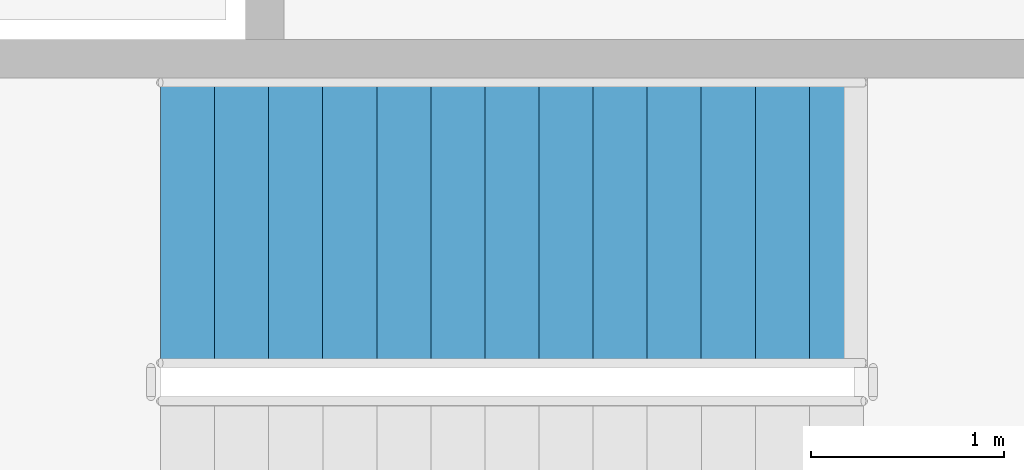
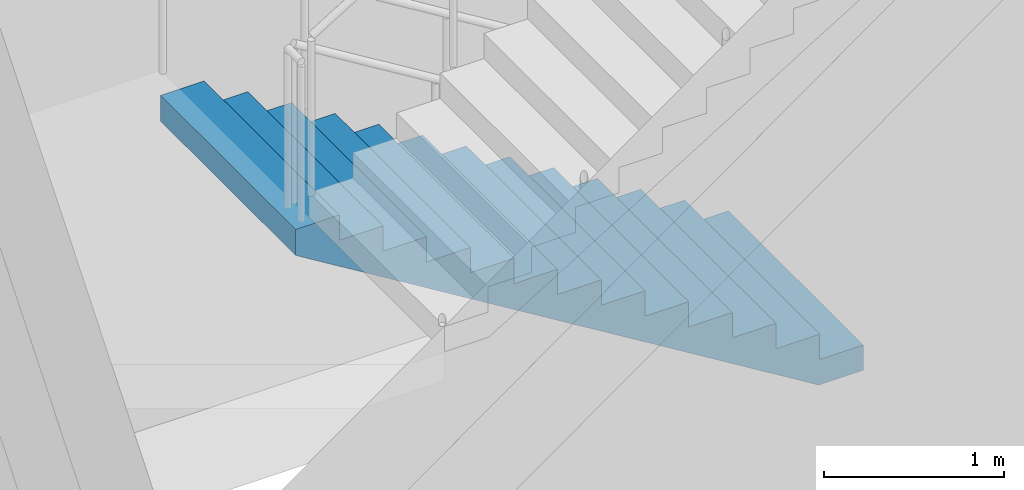
# One storey, part 56 of 91: 1 stair flight, 1 element without a shape of its own.
"""IFC4 building model written with IfcOpenShell, lengths in metres."""

from ifc_helpers import new_model, si_unit, direction, frame, origin, place, context, subcontext, project, spatial, triangles, material, type_object, element, aggregate, save


model = new_model("IFC4")

# Units and contexts
model_context = context("Model", 3, precision=1e-05, world=origin(), true_north=direction((0.0, 1.0)))
body_context = subcontext(model_context, "Body", "Model", "MODEL_VIEW")
ifc_project = project(units=[si_unit("LENGTHUNIT", "METRE"), si_unit("AREAUNIT", "SQUARE_METRE"), si_unit("VOLUMEUNIT", "CUBIC_METRE"), si_unit("PLANEANGLEUNIT", "RADIAN"), si_unit("MASSUNIT", "GRAM", prefix="KILO")], contexts=[model_context])

# Site, building, storey
site_placement = place(None, origin())
site = spatial("IfcSite", under=ifc_project, at=site_placement, CompositionType="ELEMENT")
building_placement = place(site_placement, origin())
building = spatial("IfcBuilding", under=site, at=building_placement, Name="Magnolia Steps Interchange", CompositionType="ELEMENT")
storey_placement = place(building_placement, origin())
storey = spatial("IfcBuildingStorey", under=building, at=storey_placement, Name="L00", CompositionType="ELEMENT", Elevation=0.0)

# Stair, stair flight
ifc_material_1 = material(Name="Concrete C40", Category="concrete")
stair_type = type_object("IfcStairType", Name="Exit stair 1500", PredefinedType="HALF_TURN_STAIR", material=ifc_material_1)
stair_placement = place(storey_placement, origin())
stair = element("IfcStair", 1, at=stair_placement, inside=storey, type_object=stair_type, Name="L00 Stair 5", PredefinedType="HALF_TURN_STAIR")
ifc_material_2 = material(Name="Concrete C40", Category="concrete")
stair_flight_type = type_object("IfcStairFlightType", Name="Exit stair flight", PredefinedType="STRAIGHT", material=ifc_material_2)
stair_flight_placement = place(storey_placement, frame((59.0, 45.300048828125, 0.0), z_axis=(0.0, 0.0, 1.0), x_axis=(-1.0, 0.0, 0.0)))
stair_flight = element("IfcStairFlight", 2, at=stair_flight_placement, type_object=stair_flight_type, Name="Stair 5 flight 1", NumberOfRisers=14, NumberOfTreads=13, PredefinedType="STRAIGHT", RiserHeight=0.171428571, TreadLength=0.28, context=body_context, shape_type="Tessellation", body=[
    triangles([(0.0, -0.75, 0.0), (0.287109375, -0.75, 0.0), (3.639892578125, -0.75, 2.052734375), (3.639892578125, -0.75, 2.228515625), (3.360107421875, -0.75, 2.228515625), (3.360107421875, -0.75, 2.05712890625), (3.080078125, -0.75, 2.05712890625), (3.080078125, -0.75, 1.8857421875), (2.800048828125, -0.75, 1.8857421875), (2.800048828125, -0.75, 1.71435546875), (2.52001953125, -0.75, 1.71435546875), (2.52001953125, -0.75, 1.54296875), (2.239990234375, -0.75, 1.54296875), (2.239990234375, -0.75, 1.371337890625), (1.9599609375, -0.75, 1.371337890625), (1.9599609375, -0.75, 1.199951171875), (1.679931640625, -0.75, 1.199951171875), (1.679931640625, -0.75, 1.028564453125), (1.39990234375, -0.75, 1.028564453125), (1.39990234375, -0.75, 0.857177734375), (1.1201171875, -0.75, 0.857177734375), (1.1201171875, -0.75, 0.685791015625), (0.840087890625, -0.75, 0.685791015625), (0.840087890625, -0.75, 0.514404296875), (0.56005859375, -0.75, 0.514404296875), (0.56005859375, -0.75, 0.3427734375), (0.280029296875, -0.75, 0.3427734375), (0.280029296875, -0.75, 0.17138671875), (0.0, -0.75, 0.17138671875), (0.0, 0.75, 0.0), (0.287109375, 0.75, 0.0), (3.639892578125, 0.75, 2.052734375), (3.639892578125, 0.75, 2.228515625), (3.360107421875, 0.75, 2.228515625), (3.360107421875, 0.75, 2.05712890625), (3.080078125, 0.75, 2.05712890625), (3.080078125, 0.75, 1.8857421875), (2.800048828125, 0.75, 1.8857421875), (2.800048828125, 0.75, 1.71435546875), (2.52001953125, 0.75, 1.71435546875), (2.52001953125, 0.75, 1.54296875), (2.239990234375, 0.75, 1.54296875), (2.239990234375, 0.75, 1.371337890625), (1.9599609375, 0.75, 1.371337890625), (1.9599609375, 0.75, 1.199951171875), (1.679931640625, 0.75, 1.199951171875), (1.679931640625, 0.75, 1.028564453125), (1.39990234375, 0.75, 1.028564453125), (1.39990234375, 0.75, 0.857177734375), (1.1201171875, 0.75, 0.857177734375), (1.1201171875, 0.75, 0.685791015625), (0.840087890625, 0.75, 0.685791015625), (0.840087890625, 0.75, 0.514404296875), (0.56005859375, 0.75, 0.514404296875), (0.56005859375, 0.75, 0.3427734375), (0.280029296875, 0.75, 0.3427734375), (0.280029296875, 0.75, 0.17138671875), (0.0, 0.75, 0.17138671875), (0.0, 0.0, 0.0), (0.0, 0.0, 0.0428466796875), (0.0, 0.0, 0.085693359375), (0.0, 0.0, 0.1285400390625), (0.0, 0.0, 0.17138671875), (0.0, -0.05, 0.0), (0.0, -0.05, 0.17138671875), (0.0, 0.05, 0.0), (0.0, 0.05, 0.17138671875), (0.046671549479166664, 0.0, 0.17138671875), (0.09334309895833333, 0.0, 0.17138671875), (0.1400146484375, 0.0, 0.17138671875), (0.18668619791666666, 0.0, 0.17138671875), (0.23335774739583334, 0.0, 0.17138671875), (0.280029296875, 0.0, 0.17138671875), (0.280029296875, -0.05, 0.17138671875), (0.280029296875, 0.05, 0.17138671875), (0.280029296875, 0.0, 0.2142333984375), (0.280029296875, 0.0, 0.257080078125), (0.280029296875, 0.0, 0.2999267578125), (0.280029296875, 0.0, 0.3427734375), (0.280029296875, -0.05, 0.3427734375), (0.280029296875, 0.05, 0.3427734375), (0.3267008463541667, 0.0, 0.3427734375), (0.3733723958333333, 0.0, 0.3427734375), (0.4200439453125, 0.0, 0.3427734375), (0.46671549479166663, 0.0, 0.3427734375), (0.5133870442708334, 0.0, 0.3427734375), (0.56005859375, 0.0, 0.3427734375), (0.56005859375, -0.05, 0.3427734375), (0.56005859375, 0.05, 0.3427734375), (0.56005859375, 0.0, 0.38568115234375), (0.56005859375, 0.0, 0.4285888671875), (0.56005859375, 0.0, 0.47149658203125), (0.56005859375, 0.0, 0.514404296875), (0.56005859375, -0.05, 0.514404296875), (0.56005859375, 0.05, 0.514404296875), (0.6067301432291666, 0.0, 0.514404296875), (0.6534016927083334, 0.0, 0.514404296875), (0.7000732421875, 0.0, 0.514404296875), (0.7467447916666666, 0.0, 0.514404296875), (0.7934163411458334, 0.0, 0.514404296875), (0.840087890625, 0.0, 0.514404296875), (0.840087890625, -0.05, 0.514404296875), (0.840087890625, 0.05, 0.514404296875), (0.840087890625, 0.0, 0.5572509765625), (0.840087890625, 0.0, 0.60009765625), (0.840087890625, 0.0, 0.6429443359375), (0.840087890625, 0.0, 0.685791015625), (0.840087890625, -0.05, 0.685791015625), (0.840087890625, 0.05, 0.685791015625), (0.8867594401041666, 0.0, 0.685791015625), (0.9334309895833334, 0.0, 0.685791015625), (0.9801025390625, 0.0, 0.685791015625), (1.0267740885416667, 0.0, 0.685791015625), (1.0734456380208333, 0.0, 0.685791015625), (1.1201171875, 0.0, 0.685791015625), (1.1201171875, -0.05, 0.685791015625), (1.1201171875, 0.05, 0.685791015625), (1.1201171875, 0.0, 0.7286376953125), (1.1201171875, 0.0, 0.771484375), (1.1201171875, 0.0, 0.8143310546875), (1.1201171875, 0.0, 0.857177734375), (1.1201171875, -0.05, 0.857177734375), (1.1201171875, 0.05, 0.857177734375), (1.1900634765625, 0.0, 0.857177734375), (1.260009765625, 0.0, 0.857177734375), (1.3299560546875, 0.0, 0.857177734375), (1.39990234375, 0.0, 0.857177734375), (1.39990234375, -0.05, 0.857177734375), (1.39990234375, 0.05, 0.857177734375), (1.39990234375, 0.0, 0.9000244140625), (1.39990234375, 0.0, 0.94287109375), (1.39990234375, 0.0, 0.9857177734375), (1.39990234375, 0.0, 1.028564453125), (1.39990234375, -0.05, 1.028564453125), (1.39990234375, 0.05, 1.028564453125), (1.4465738932291667, 0.0, 1.028564453125), (1.4932454427083333, 0.0, 1.028564453125), (1.5399169921875, 0.0, 1.028564453125), (1.5865885416666667, 0.0, 1.028564453125), (1.6332600911458333, 0.0, 1.028564453125), (1.679931640625, 0.0, 1.028564453125), (1.679931640625, -0.05, 1.028564453125), (1.679931640625, 0.05, 1.028564453125), (1.679931640625, 0.0, 1.0714111328125), (1.679931640625, 0.0, 1.1142578125), (1.679931640625, 0.0, 1.1571044921875), (1.679931640625, 0.0, 1.199951171875), (1.679931640625, -0.05, 1.199951171875), (1.679931640625, 0.05, 1.199951171875), (1.7266031901041667, 0.0, 1.199951171875), (1.7732747395833333, 0.0, 1.199951171875), (1.8199462890625, 0.0, 1.199951171875), (1.8666178385416667, 0.0, 1.199951171875), (1.9132893880208333, 0.0, 1.199951171875), (1.9599609375, 0.0, 1.199951171875), (1.9599609375, -0.05, 1.199951171875), (1.9599609375, 0.05, 1.199951171875), (1.9599609375, 0.0, 1.2427978515625), (1.9599609375, 0.0, 1.28564453125), (1.9599609375, 0.0, 1.3284912109375), (1.9599609375, 0.0, 1.371337890625), (1.9599609375, -0.05, 1.371337890625), (1.9599609375, 0.05, 1.371337890625), (2.0066324869791665, 0.0, 1.371337890625), (2.0533040364583335, 0.0, 1.371337890625), (2.0999755859375, 0.0, 1.371337890625), (2.1466471354166665, 0.0, 1.371337890625), (2.1933186848958335, 0.0, 1.371337890625), (2.239990234375, 0.0, 1.371337890625), (2.239990234375, -0.05, 1.371337890625), (2.239990234375, 0.05, 1.371337890625), (2.239990234375, 0.0, 1.41424560546875), (2.239990234375, 0.0, 1.4571533203125), (2.239990234375, 0.0, 1.50006103515625), (2.239990234375, 0.0, 1.54296875), (2.239990234375, -0.05, 1.54296875), (2.239990234375, 0.05, 1.54296875), (2.2866617838541665, 0.0, 1.54296875), (2.3333333333333335, 0.0, 1.54296875), (2.3800048828125, 0.0, 1.54296875), (2.4266764322916665, 0.0, 1.54296875), (2.4733479817708335, 0.0, 1.54296875), (2.52001953125, 0.0, 1.54296875), (2.52001953125, -0.05, 1.54296875), (2.52001953125, 0.05, 1.54296875), (2.52001953125, 0.0, 1.5858154296875), (2.52001953125, 0.0, 1.628662109375), (2.52001953125, 0.0, 1.6715087890625), (2.52001953125, 0.0, 1.71435546875), (2.52001953125, -0.05, 1.71435546875), (2.52001953125, 0.05, 1.71435546875), (2.5666910807291665, 0.0, 1.71435546875), (2.6133626302083335, 0.0, 1.71435546875), (2.6600341796875, 0.0, 1.71435546875), (2.7067057291666665, 0.0, 1.71435546875), (2.7533772786458335, 0.0, 1.71435546875), (2.800048828125, 0.0, 1.71435546875), (2.800048828125, -0.05, 1.71435546875), (2.800048828125, 0.05, 1.71435546875), (2.800048828125, 0.0, 1.7572021484375), (2.800048828125, 0.0, 1.800048828125), (2.800048828125, 0.0, 1.8428955078125), (2.800048828125, 0.0, 1.8857421875), (2.800048828125, -0.05, 1.8857421875), (2.800048828125, 0.05, 1.8857421875), (2.8467203776041665, 0.0, 1.8857421875), (2.8933919270833335, 0.0, 1.8857421875), (2.9400634765625, 0.0, 1.8857421875), (2.9867350260416665, 0.0, 1.8857421875), (3.0334065755208335, 0.0, 1.8857421875), (3.080078125, 0.0, 1.8857421875), (3.080078125, -0.05, 1.8857421875), (3.080078125, 0.05, 1.8857421875), (3.080078125, 0.0, 1.9285888671875), (3.080078125, 0.0, 1.971435546875), (3.080078125, 0.0, 2.0142822265625), (3.080078125, 0.0, 2.05712890625), (3.080078125, -0.05, 2.05712890625), (3.080078125, 0.05, 2.05712890625), (3.1267496744791665, 0.0, 2.05712890625), (3.1734212239583335, 0.0, 2.05712890625), (3.2200927734375, 0.0, 2.05712890625), (3.2667643229166665, 0.0, 2.05712890625), (3.3134358723958335, 0.0, 2.05712890625), (3.360107421875, 0.0, 2.05712890625), (3.360107421875, -0.05, 2.05712890625), (3.360107421875, 0.05, 2.05712890625), (3.360107421875, 0.0, 2.0999755859375), (3.360107421875, 0.0, 2.142822265625), (3.360107421875, 0.0, 2.1856689453125), (3.360107421875, 0.0, 2.228515625), (3.360107421875, -0.05, 2.228515625), (3.360107421875, 0.05, 2.228515625), (3.4300537109375, 0.0, 2.228515625), (3.5, 0.0, 2.228515625), (3.5699462890625, 0.0, 2.228515625), (3.639892578125, 0.0, 2.228515625), (3.639892578125, -0.05, 2.228515625), (3.639892578125, 0.05, 2.228515625), (3.639892578125, 0.0, 2.1845703125), (3.639892578125, 0.0, 2.140625), (3.639892578125, 0.0, 2.0966796875), (3.639892578125, 0.0, 2.052734375), (3.639892578125, -0.05, 2.052734375), (3.639892578125, 0.05, 2.052734375), (3.582085971174569, 0.0, 2.0173424030172415), (3.524279364224138, 0.0, 1.9819504310344827), (3.466472757273707, 0.0, 1.9465584590517242), (3.408666150323276, 0.0, 1.9111664870689655), (3.3508595433728448, 0.0, 1.8757745150862069), (3.2930529364224137, 0.0, 1.8403825431034484), (3.2352463294719827, 0.0, 1.8049905711206897), (3.1774397225215516, 0.0, 1.769598599137931), (3.1196331155711206, 0.0, 1.7342066271551724), (3.0618265086206895, 0.0, 1.6988146551724137), (3.004019901670259, 0.0, 1.6634226831896552), (2.9462132947198274, 0.0, 1.6280307112068966), (2.888406687769397, 0.0, 1.592638739224138), (2.8306000808189653, 0.0, 1.5572467672413794), (2.7727934738685347, 0.0, 1.5218547952586206), (2.714986866918103, 0.0, 1.486462823275862), (2.6571802599676726, 0.0, 1.4510708512931034), (2.599373653017241, 0.0, 1.4156788793103448), (2.5415670460668105, 0.0, 1.3802869073275863), (2.483760439116379, 0.0, 1.3448949353448276), (2.4259538321659484, 0.0, 1.309502963362069), (2.3681472252155173, 0.0, 1.2741109913793105), (2.3103406182650863, 0.0, 1.2387190193965516), (2.2525340113146552, 0.0, 1.2033270474137931), (2.194727404364224, 0.0, 1.1679350754310345), (2.136920797413793, 0.0, 1.1325431034482758), (2.079114190463362, 0.0, 1.0971511314655173), (2.021307583512931, 0.0, 1.0617591594827587), (1.9635009765625, 0.0, 1.0263671875), (1.905694369612069, 0.0, 0.9909752155172413), (1.847887762661638, 0.0, 0.9555832435344827), (1.7900811557112069, 0.0, 0.9201912715517242), (1.7322745487607758, 0.0, 0.8847992995689655), (1.6744679418103448, 0.0, 0.8494073275862069), (1.6166613348599137, 0.0, 0.8140153556034482), (1.5588547279094827, 0.0, 0.7786233836206897), (1.5010481209590516, 0.0, 0.743231411637931), (1.4432415140086206, 0.0, 0.7078394396551724), (1.3854349070581895, 0.0, 0.6724474676724137), (1.3276283001077585, 0.0, 0.6370554956896552), (1.2698216931573274, 0.0, 0.6016635237068966), (1.2120150862068964, 0.0, 0.5662715517241379), (1.1542084792564653, 0.0, 0.5308795797413792), (1.0964018723060347, 0.0, 0.4954876077586208), (1.0385952653556036, 0.0, 0.4600956357758621), (0.9807886584051726, 0.0, 0.4247036637931034), (0.9229820514547415, 0.0, 0.38931169181034475), (0.8651754445043105, 0.0, 0.3539197198275863), (0.8073688375538794, 0.0, 0.3185277478448276), (0.7495622306034484, 0.0, 0.28313577586206895), (0.6917556236530173, 0.0, 0.24774380387931028), (0.6339490167025863, 0.0, 0.21235183189655182), (0.5761424097521552, 0.0, 0.17695985991379315), (0.5183358028017242, 0.0, 0.14156788793103448), (0.46052919585129315, 0.0, 0.1061759159482758), (0.4027225889008621, 0.0, 0.07078394396551735), (0.34491598195043105, 0.0, 0.03539197198275845), (0.287109375, 0.0, 0.0), (0.287109375, -0.05, 0.0), (0.287109375, 0.05, 0.0), (0.2392578125, 0.0, 0.0), (0.19140625, 0.0, 0.0), (0.1435546875, 0.0, 0.0), (0.095703125, 0.0, 0.0), (0.0478515625, 0.0, 0.0)], [[1, 2, 3], [3, 4, 5], [3, 5, 6], [3, 6, 7], [3, 7, 8], [8, 9, 10], [3, 8, 10], [10, 11, 12], [3, 10, 12], [12, 13, 14], [3, 12, 14], [14, 15, 16], [3, 14, 16], [16, 17, 18], [3, 16, 18], [18, 19, 20], [3, 18, 20], [20, 21, 22], [3, 20, 22], [22, 23, 24], [3, 22, 24], [24, 25, 26], [3, 24, 26], [26, 27, 28], [3, 26, 28], [1, 3, 28], [28, 29, 1], [30, 32, 31], [32, 34, 33], [32, 35, 34], [32, 36, 35], [32, 37, 36], [37, 39, 38], [32, 39, 37], [39, 41, 40], [32, 41, 39], [41, 43, 42], [32, 43, 41], [43, 45, 44], [32, 45, 43], [45, 47, 46], [32, 47, 45], [47, 49, 48], [32, 49, 47], [49, 51, 50], [32, 51, 49], [51, 53, 52], [32, 53, 51], [53, 55, 54], [32, 55, 53], [55, 57, 56], [32, 57, 55], [30, 57, 32], [57, 30, 58], [1, 29, 65], [1, 65, 64], [64, 60, 59], [64, 61, 60], [64, 65, 61], [65, 62, 61], [65, 63, 62], [30, 67, 58], [30, 66, 67], [66, 59, 60], [66, 60, 61], [66, 61, 67], [67, 61, 62], [67, 62, 63], [29, 28, 74], [29, 74, 65], [65, 68, 63], [65, 69, 68], [65, 70, 69], [65, 74, 70], [74, 71, 70], [74, 72, 71], [74, 73, 72], [58, 75, 57], [58, 67, 75], [67, 63, 68], [67, 68, 69], [67, 69, 70], [67, 70, 75], [75, 70, 71], [75, 71, 72], [75, 72, 73], [28, 27, 80], [28, 80, 74], [74, 76, 73], [74, 77, 76], [74, 80, 77], [80, 78, 77], [80, 79, 78], [57, 81, 56], [57, 75, 81], [75, 73, 76], [75, 76, 77], [75, 77, 81], [81, 77, 78], [81, 78, 79], [27, 26, 88], [27, 88, 80], [80, 82, 79], [80, 83, 82], [80, 84, 83], [80, 88, 84], [88, 85, 84], [88, 86, 85], [88, 87, 86], [56, 89, 55], [56, 81, 89], [81, 79, 82], [81, 82, 83], [81, 83, 84], [81, 84, 89], [89, 84, 85], [89, 85, 86], [89, 86, 87], [26, 25, 94], [26, 94, 88], [88, 90, 87], [88, 91, 90], [88, 94, 91], [94, 92, 91], [94, 93, 92], [55, 95, 54], [55, 89, 95], [89, 87, 90], [89, 90, 91], [89, 91, 95], [95, 91, 92], [95, 92, 93], [25, 24, 102], [25, 102, 94], [94, 96, 93], [94, 97, 96], [94, 98, 97], [94, 102, 98], [102, 99, 98], [102, 100, 99], [102, 101, 100], [54, 103, 53], [54, 95, 103], [95, 93, 96], [95, 96, 97], [95, 97, 98], [95, 98, 103], [103, 98, 99], [103, 99, 100], [103, 100, 101], [24, 23, 108], [24, 108, 102], [102, 104, 101], [102, 105, 104], [102, 108, 105], [108, 106, 105], [108, 107, 106], [53, 109, 52], [53, 103, 109], [103, 101, 104], [103, 104, 105], [103, 105, 109], [109, 105, 106], [109, 106, 107], [23, 22, 116], [23, 116, 108], [108, 110, 107], [108, 111, 110], [108, 112, 111], [108, 116, 112], [116, 113, 112], [116, 114, 113], [116, 115, 114], [52, 117, 51], [52, 109, 117], [109, 107, 110], [109, 110, 111], [109, 111, 112], [109, 112, 117], [117, 112, 113], [117, 113, 114], [117, 114, 115], [22, 21, 122], [22, 122, 116], [116, 118, 115], [116, 119, 118], [116, 122, 119], [122, 120, 119], [122, 121, 120], [51, 123, 50], [51, 117, 123], [117, 115, 118], [117, 118, 119], [117, 119, 123], [123, 119, 120], [123, 120, 121], [21, 20, 128], [21, 128, 122], [122, 124, 121], [122, 125, 124], [122, 128, 125], [128, 126, 125], [128, 127, 126], [50, 129, 49], [50, 123, 129], [123, 121, 124], [123, 124, 125], [123, 125, 129], [129, 125, 126], [129, 126, 127], [20, 19, 134], [20, 134, 128], [128, 130, 127], [128, 131, 130], [128, 134, 131], [134, 132, 131], [134, 133, 132], [49, 135, 48], [49, 129, 135], [129, 127, 130], [129, 130, 131], [129, 131, 135], [135, 131, 132], [135, 132, 133], [19, 18, 142], [19, 142, 134], [134, 136, 133], [134, 137, 136], [134, 138, 137], [134, 142, 138], [142, 139, 138], [142, 140, 139], [142, 141, 140], [48, 143, 47], [48, 135, 143], [135, 133, 136], [135, 136, 137], [135, 137, 138], [135, 138, 143], [143, 138, 139], [143, 139, 140], [143, 140, 141], [18, 17, 148], [18, 148, 142], [142, 144, 141], [142, 145, 144], [142, 148, 145], [148, 146, 145], [148, 147, 146], [47, 149, 46], [47, 143, 149], [143, 141, 144], [143, 144, 145], [143, 145, 149], [149, 145, 146], [149, 146, 147], [17, 16, 156], [17, 156, 148], [148, 150, 147], [148, 151, 150], [148, 152, 151], [148, 156, 152], [156, 153, 152], [156, 154, 153], [156, 155, 154], [46, 157, 45], [46, 149, 157], [149, 147, 150], [149, 150, 151], [149, 151, 152], [149, 152, 157], [157, 152, 153], [157, 153, 154], [157, 154, 155], [16, 15, 162], [16, 162, 156], [156, 158, 155], [156, 159, 158], [156, 162, 159], [162, 160, 159], [162, 161, 160], [45, 163, 44], [45, 157, 163], [157, 155, 158], [157, 158, 159], [157, 159, 163], [163, 159, 160], [163, 160, 161], [15, 14, 170], [15, 170, 162], [162, 164, 161], [162, 165, 164], [162, 166, 165], [162, 170, 166], [170, 167, 166], [170, 168, 167], [170, 169, 168], [44, 171, 43], [44, 163, 171], [163, 161, 164], [163, 164, 165], [163, 165, 166], [163, 166, 171], [171, 166, 167], [171, 167, 168], [171, 168, 169], [14, 13, 176], [14, 176, 170], [170, 172, 169], [170, 173, 172], [170, 176, 173], [176, 174, 173], [176, 175, 174], [43, 177, 42], [43, 171, 177], [171, 169, 172], [171, 172, 173], [171, 173, 177], [177, 173, 174], [177, 174, 175], [13, 12, 184], [13, 184, 176], [176, 178, 175], [176, 179, 178], [176, 180, 179], [176, 184, 180], [184, 181, 180], [184, 182, 181], [184, 183, 182], [42, 185, 41], [42, 177, 185], [177, 175, 178], [177, 178, 179], [177, 179, 180], [177, 180, 185], [185, 180, 181], [185, 181, 182], [185, 182, 183], [12, 11, 190], [12, 190, 184], [184, 186, 183], [184, 187, 186], [184, 190, 187], [190, 188, 187], [190, 189, 188], [41, 191, 40], [41, 185, 191], [185, 183, 186], [185, 186, 187], [185, 187, 191], [191, 187, 188], [191, 188, 189], [11, 10, 198], [11, 198, 190], [190, 192, 189], [190, 193, 192], [190, 194, 193], [190, 198, 194], [198, 195, 194], [198, 196, 195], [198, 197, 196], [40, 199, 39], [40, 191, 199], [191, 189, 192], [191, 192, 193], [191, 193, 194], [191, 194, 199], [199, 194, 195], [199, 195, 196], [199, 196, 197], [10, 9, 204], [10, 204, 198], [198, 200, 197], [198, 201, 200], [198, 204, 201], [204, 202, 201], [204, 203, 202], [39, 205, 38], [39, 199, 205], [199, 197, 200], [199, 200, 201], [199, 201, 205], [205, 201, 202], [205, 202, 203], [9, 8, 212], [9, 212, 204], [204, 206, 203], [204, 207, 206], [204, 208, 207], [204, 212, 208], [212, 209, 208], [212, 210, 209], [212, 211, 210], [38, 213, 37], [38, 205, 213], [205, 203, 206], [205, 206, 207], [205, 207, 208], [205, 208, 213], [213, 208, 209], [213, 209, 210], [213, 210, 211], [8, 7, 218], [8, 218, 212], [212, 214, 211], [212, 215, 214], [212, 218, 215], [218, 216, 215], [218, 217, 216], [37, 219, 36], [37, 213, 219], [213, 211, 214], [213, 214, 215], [213, 215, 219], [219, 215, 216], [219, 216, 217], [7, 6, 226], [7, 226, 218], [218, 220, 217], [218, 221, 220], [218, 222, 221], [218, 226, 222], [226, 223, 222], [226, 224, 223], [226, 225, 224], [36, 227, 35], [36, 219, 227], [219, 217, 220], [219, 220, 221], [219, 221, 222], [219, 222, 227], [227, 222, 223], [227, 223, 224], [227, 224, 225], [6, 5, 232], [6, 232, 226], [226, 228, 225], [226, 229, 228], [226, 232, 229], [232, 230, 229], [232, 231, 230], [35, 233, 34], [35, 227, 233], [227, 225, 228], [227, 228, 229], [227, 229, 233], [233, 229, 230], [233, 230, 231], [5, 4, 238], [5, 238, 232], [232, 234, 231], [232, 235, 234], [232, 238, 235], [238, 236, 235], [238, 237, 236], [34, 239, 33], [34, 233, 239], [233, 231, 234], [233, 234, 235], [233, 235, 239], [239, 235, 236], [239, 236, 237], [4, 3, 244], [4, 244, 238], [238, 240, 237], [238, 241, 240], [238, 244, 241], [244, 242, 241], [244, 243, 242], [33, 245, 32], [33, 239, 245], [239, 237, 240], [239, 240, 241], [239, 241, 245], [245, 241, 242], [245, 242, 243], [3, 2, 304], [3, 304, 244], [244, 246, 243], [244, 247, 246], [244, 248, 247], [244, 249, 248], [244, 250, 249], [244, 251, 250], [244, 252, 251], [244, 253, 252], [244, 254, 253], [244, 255, 254], [244, 256, 255], [244, 257, 256], [244, 258, 257], [244, 259, 258], [244, 260, 259], [244, 261, 260], [244, 262, 261], [244, 263, 262], [244, 264, 263], [244, 265, 264], [244, 266, 265], [244, 267, 266], [244, 268, 267], [244, 269, 268], [244, 270, 269], [244, 271, 270], [244, 272, 271], [244, 273, 272], [244, 274, 273], [244, 304, 274], [304, 275, 274], [304, 276, 275], [304, 277, 276], [304, 278, 277], [304, 279, 278], [304, 280, 279], [304, 281, 280], [304, 282, 281], [304, 283, 282], [304, 284, 283], [304, 285, 284], [304, 286, 285], [304, 287, 286], [304, 288, 287], [304, 289, 288], [304, 290, 289], [304, 291, 290], [304, 292, 291], [304, 293, 292], [304, 294, 293], [304, 295, 294], [304, 296, 295], [304, 297, 296], [304, 298, 297], [304, 299, 298], [304, 300, 299], [304, 301, 300], [304, 302, 301], [304, 303, 302], [32, 305, 31], [32, 245, 305], [245, 243, 246], [245, 246, 247], [245, 247, 248], [245, 248, 249], [245, 249, 250], [245, 250, 251], [245, 251, 252], [245, 252, 253], [245, 253, 254], [245, 254, 255], [245, 255, 256], [245, 256, 257], [245, 257, 258], [245, 258, 259], [245, 259, 260], [245, 260, 261], [245, 261, 262], [245, 262, 263], [245, 263, 264], [245, 264, 265], [245, 265, 266], [245, 266, 267], [245, 267, 268], [245, 268, 269], [245, 269, 270], [245, 270, 271], [245, 271, 272], [245, 272, 273], [245, 273, 274], [245, 274, 305], [305, 274, 275], [305, 275, 276], [305, 276, 277], [305, 277, 278], [305, 278, 279], [305, 279, 280], [305, 280, 281], [305, 281, 282], [305, 282, 283], [305, 283, 284], [305, 284, 285], [305, 285, 286], [305, 286, 287], [305, 287, 288], [305, 288, 289], [305, 289, 290], [305, 290, 291], [305, 291, 292], [305, 292, 293], [305, 293, 294], [305, 294, 295], [305, 295, 296], [305, 296, 297], [305, 297, 298], [305, 298, 299], [305, 299, 300], [305, 300, 301], [305, 301, 302], [305, 302, 303], [2, 1, 64], [2, 64, 304], [304, 306, 303], [304, 307, 306], [304, 308, 307], [304, 64, 308], [64, 309, 308], [64, 310, 309], [64, 59, 310], [31, 66, 30], [31, 305, 66], [305, 303, 306], [305, 306, 307], [305, 307, 308], [305, 308, 66], [66, 308, 309], [66, 309, 310], [66, 310, 59]], closed=True),
])
aggregate(stair, [stair_flight])

save(model, "model.ifc")
